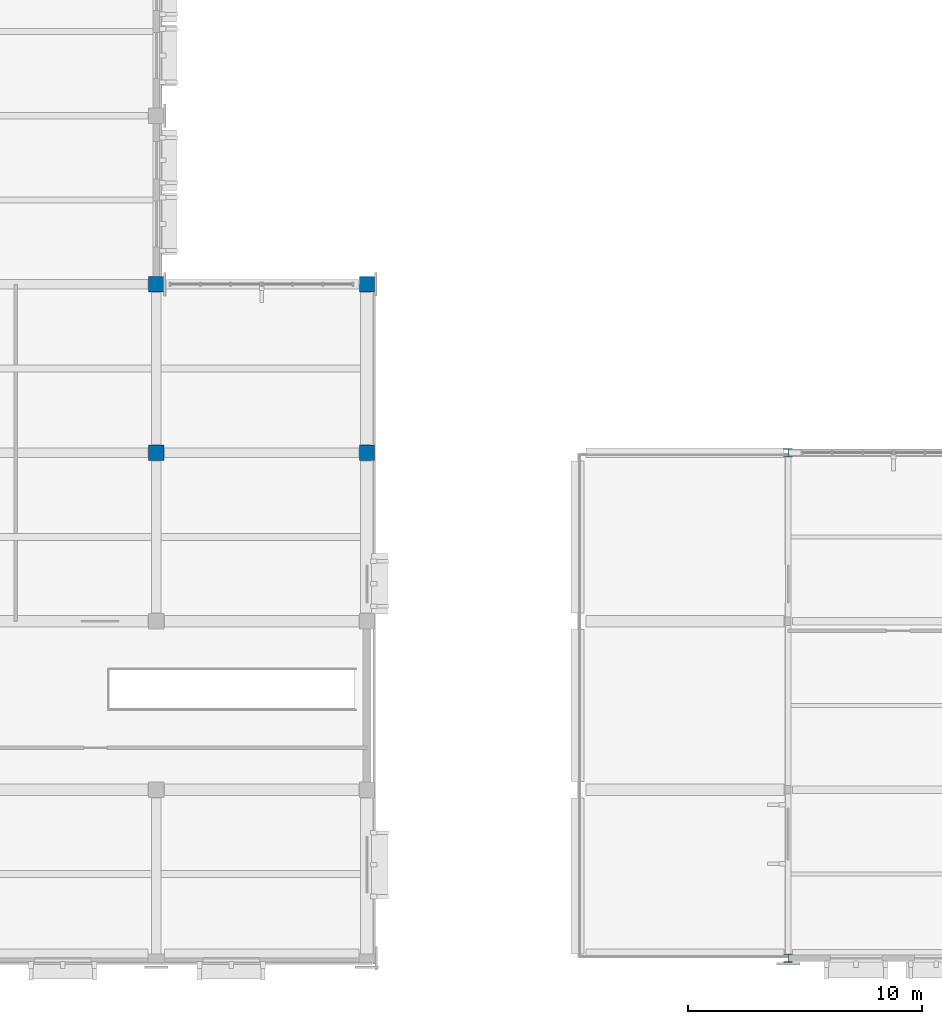
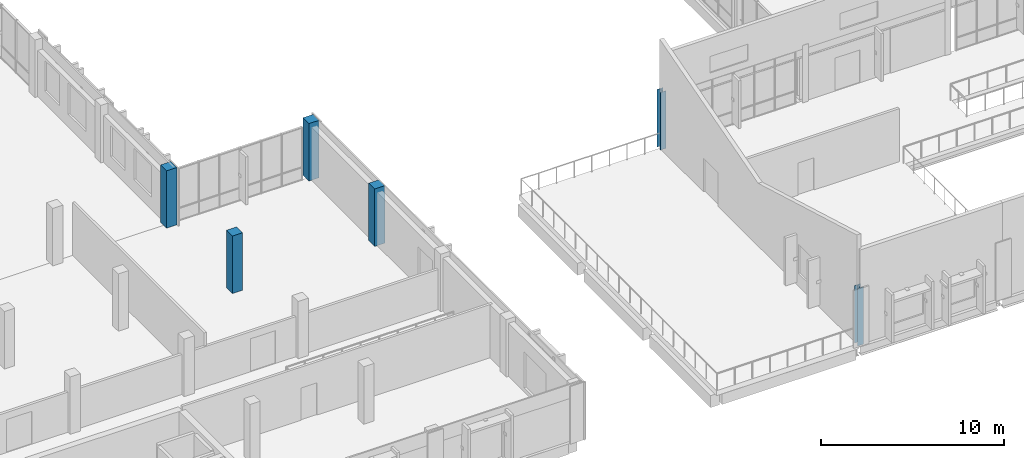
# One storey, part 2 of 85: 6 columns.
"""IFC4 building model written with IfcOpenShell, lengths in metres."""

from ifc_helpers import new_model, si_unit, direction, frame, origin, origin_2d, place, context, subcontext, project, spatial, rectangle, i_section, extrude, material, material_profile, profile_set, type_object, element, save


model = new_model("IFC4")

# Units and contexts
model_context = context("Model", 3, precision=1e-05, world=origin(), true_north=direction((0.0, 1.0)))
body_context = subcontext(model_context, "Body", "Model", "MODEL_VIEW")
ifc_project = project(units=[si_unit("LENGTHUNIT", "METRE"), si_unit("AREAUNIT", "SQUARE_METRE"), si_unit("VOLUMEUNIT", "CUBIC_METRE"), si_unit("PLANEANGLEUNIT", "RADIAN"), si_unit("MASSUNIT", "GRAM", prefix="KILO")], contexts=[model_context])

# Site, building, storey
site_placement = place(None, origin())
site = spatial("IfcSite", under=ifc_project, at=site_placement, CompositionType="ELEMENT")
building_placement = place(site_placement, origin())
building = spatial("IfcBuilding", under=site, at=building_placement, Name="Vervanel Yard Central Library", CompositionType="ELEMENT")
storey_placement = place(building_placement, frame((0.0, 0.0, 5.10009765625)))
storey = spatial("IfcBuildingStorey", under=building, at=storey_placement, Name="L01", CompositionType="ELEMENT", Elevation=5.10009765625)

# Columns
ifc_material_1 = material(Name="Concrete C40/50", Category="concrete")
ifc_material_profile_1 = material_profile(ifc_material_1, rectangle(XDim=0.64990234375, YDim=0.64990234375, at=origin_2d()), Name="RC 650x650", Category="concrete")
ifc_profile_set_1 = profile_set([ifc_material_profile_1], Name="Concrete C40/50")
column_type_1 = type_object("IfcColumnType", Name="Concrete Column 650x650", PredefinedType="COLUMN", material=ifc_profile_set_1)
for number, where, z_axis, x_axis, name in (
    (1, (36.0, 21.60009765625, 0.0), (0.0, 0.0, 1.0), (1.0, 0.0, 0.0), "L01 Concrete Column 650x650 (36.0, 21.6)"),
    (2, (36.0, 28.800048828125, 0.0), (0.0, 0.0, 1.0), (1.0, 0.0, 0.0), "L01 Concrete Column 650x650 (36.0, 28.8)"),
    (3, (45.0, 21.60009765625, 0.0), (0.0, 0.0, 1.0), (1.0, 0.0, 0.0), "L01 Concrete Column 650x650 (45.0, 21.6)"),
    (4, (45.0, 28.800048828125, 0.0), (0.0, 0.0, 1.0), (1.0, 0.0, 0.0), "L01 Concrete Column 650x650 (45.0, 28.8)"),
):
    element("IfcColumn", number, at=place(storey_placement, frame(where, z_axis=z_axis, x_axis=x_axis)), inside=storey, type_object=column_type_1, Name=name, PredefinedType="COLUMN", context=body_context, shape_type="SweptSolid", body=[
        extrude(rectangle(XDim=0.64990234375, YDim=0.64990234375, at=origin_2d()), origin(), (0.0, 0.0, 1.0), 3.83984375),
    ])
ifc_material_2 = material(Name="Steel ASTM A992 Grade 50", Category="steel")
ifc_material_profile_2 = material_profile(ifc_material_2, i_section(OverallWidth=0.368408203125, OverallDepth=0.355712890625, WebThickness=0.01123046875, FlangeThickness=0.01806640625, at=origin_2d()), Name="W14X90", Category="steel")
ifc_profile_set_2 = profile_set([ifc_material_profile_2], Name="Steel ASTM A992 Grade 50")
column_type_2 = type_object("IfcColumnType", Name="Steel Column W14X90", PredefinedType="COLUMN", material=ifc_profile_set_2)
for number, where, z_axis, x_axis, name in (
    (5, (63.0, 0.0, 0.0), (0.0, 0.0, 1.0), (1.0, 0.0, 0.0), "L01 Steel Column W14X90 (63.0, 0.0)"),
    (6, (63.0, 21.60009765625, 0.0), (0.0, 0.0, 1.0), (1.0, 0.0, 0.0), "L01 Steel Column W14X90 (63.0, 21.6)"),
):
    element("IfcColumn", number, at=place(storey_placement, frame(where, z_axis=z_axis, x_axis=x_axis)), inside=storey, type_object=column_type_2, Name=name, PredefinedType="COLUMN", context=body_context, shape_type="SweptSolid", body=[
        extrude(i_section(OverallWidth=0.368408203125, OverallDepth=0.355712890625, WebThickness=0.01123046875, FlangeThickness=0.01806640625, at=origin_2d()), origin(), (0.0, 0.0, 1.0), 3.83984375),
    ])

save(model, "model.ifc")
